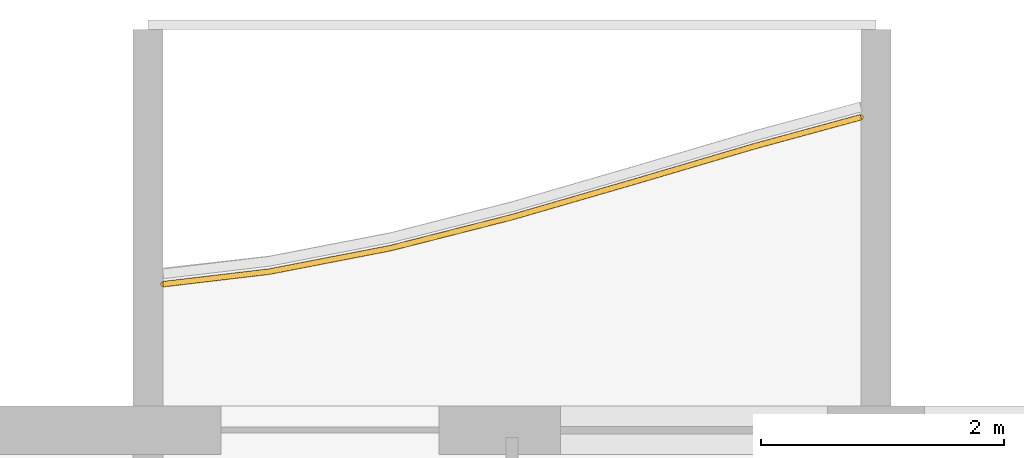
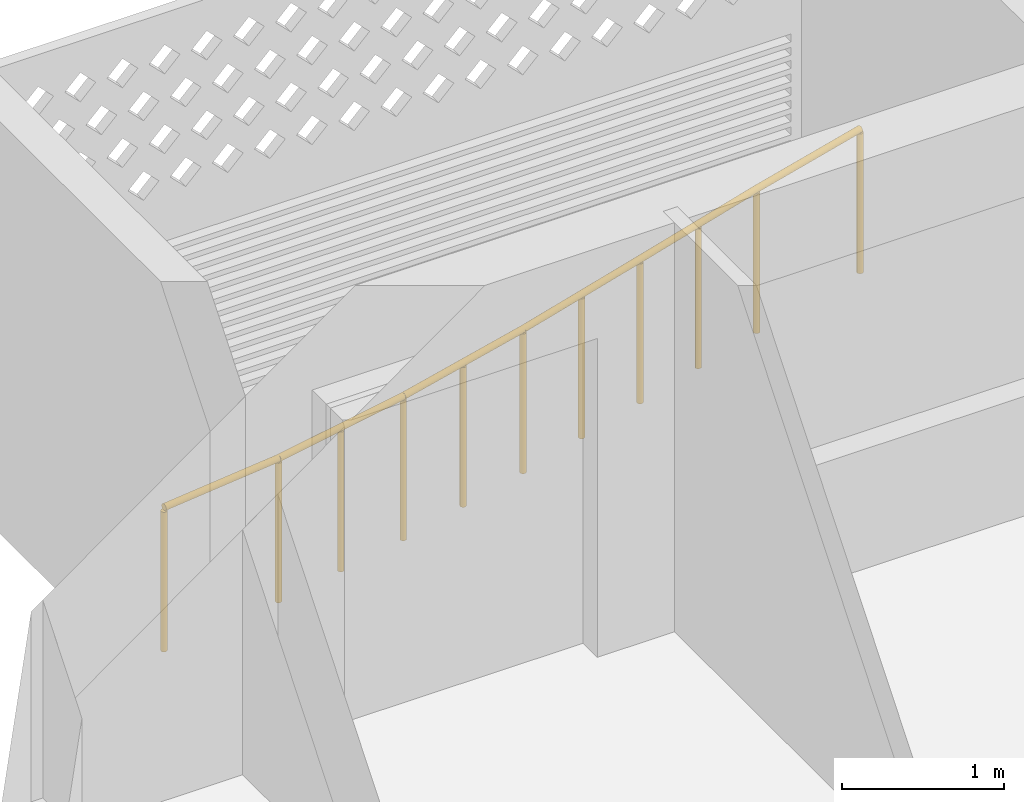
# One storey, part 15 of 26: 1 railing.
"""IFC4 building model written with IfcOpenShell, lengths in metres."""

import ifcopenshell
import ifcopenshell.guid

model = None  # the IFC model being written
_history = None  # IfcOwnerHistory: only IFC2X3 demands one
_inside = {}  # id of a spatial element -> (the spatial element, [elements in it])
_under = {}  # id of a project, library or spatial element -> (it, [spatial elements below it])
_declared = {}  # id of a project -> (the project, [libraries it declares])
_typed = {}  # id of a type object -> (the type object, [elements of that type])
_made_of = {}  # id of a material, layer set ... -> (it, [elements and type objects made of it])


def new_model(schema):
    """Start an empty IFC model of exactly this schema.

    Asked for "IFC4X3", IfcOpenShell would pick the latest addendum, in which some entities
    have other attributes; the version numbers below select the first issue.
    IFC2X3 requires an IfcOwnerHistory on every rooted entity: one is made here for all.
    """
    global model, _history
    if schema == "IFC4X3":
        model = ifcopenshell.file(schema_version=(4, 3, 0, 0))
    else:
        model = ifcopenshell.file(schema=schema)
    _inside.clear()
    _under.clear()
    _declared.clear()
    _typed.clear()
    _made_of.clear()
    _history = None
    if model.schema == "IFC2X3":
        org = make("IfcOrganization", Name="unknown")
        user = make(
            "IfcPersonAndOrganization",
            ThePerson=make("IfcPerson", FamilyName="unknown"),
            TheOrganization=org,
        )
        app = make(
            "IfcApplication",
            ApplicationDeveloper=org,
            Version="unknown",
            ApplicationFullName="unknown",
            ApplicationIdentifier="unknown",
        )
        _history = make(
            "IfcOwnerHistory",
            OwningUser=user,
            OwningApplication=app,
            ChangeAction="ADDED",
            CreationDate=0,
        )
    return model


def make(cls, **values):
    """One entity of the class cls with the attributes given. An attribute that is None is left unset."""
    return model.create_entity(
        cls, **{name: value for name, value in values.items() if value is not None}
    )


def rooted(cls, **values):
    """An entity with a GlobalId (a new one), such as an element, a storey or a relation."""
    return make(cls, GlobalId=ifcopenshell.guid.new(), OwnerHistory=_history, **values)


def si_unit(unit_type, name, prefix=None):
    """IfcSIUnit, for example si_unit("LENGTHUNIT", "METRE", prefix="MILLI")."""
    return make("IfcSIUnit", UnitType=unit_type, Prefix=prefix, Name=name)


def assignment(units):
    """IfcUnitAssignment: the units of a project."""
    return None if units is None else make("IfcUnitAssignment", Units=units)


def point(xyz):
    """IfcCartesianPoint."""
    return None if xyz is None else make("IfcCartesianPoint", Coordinates=xyz)


def direction(xyz):
    """IfcDirection."""
    return None if xyz is None else make("IfcDirection", DirectionRatios=xyz)


def frame(location, z_axis=None, x_axis=None):
    """IfcAxis2Placement3D, a coordinate frame: its origin and axes. An axis left out is left unset."""
    return make(
        "IfcAxis2Placement3D",
        Location=point(location),
        Axis=direction(z_axis),
        RefDirection=direction(x_axis),
    )


def frame_2d(location, x_axis=None):
    """IfcAxis2Placement2D, a coordinate frame in the plane: its origin and x axis."""
    return make(
        "IfcAxis2Placement2D", Location=point(location), RefDirection=direction(x_axis)
    )


def origin():
    """The frame at (0, 0, 0) with its axes left unset."""
    return frame((0.0, 0.0, 0.0))


def origin_2d():
    """The frame at (0, 0) in the plane with its x axis left unset."""
    return frame_2d((0.0, 0.0))


def place(relative_to, where):
    """IfcLocalPlacement: puts the frame where relative to a parent placement (None: the world)."""
    return make(
        "IfcLocalPlacement", PlacementRelTo=relative_to, RelativePlacement=where
    )


def context(
    kind, dimensions, precision=None, world=None, true_north=None, identifier=None
):
    """IfcGeometricRepresentationContext, for example the 3D "Model" context."""
    return make(
        "IfcGeometricRepresentationContext",
        ContextIdentifier=identifier,
        ContextType=kind,
        CoordinateSpaceDimension=dimensions,
        Precision=precision,
        WorldCoordinateSystem=world,
        TrueNorth=true_north,
    )


def subcontext(parent, identifier, kind, view, scale=None):
    """IfcGeometricRepresentationSubContext, for example "Body" below "Model"."""
    return make(
        "IfcGeometricRepresentationSubContext",
        ContextIdentifier=identifier,
        ContextType=kind,
        ParentContext=parent,
        TargetScale=scale,
        TargetView=view,
    )


def project(units=None, contexts=None):
    """IfcProject with its units and contexts."""
    return rooted(
        "IfcProject",
        Name="project",
        RepresentationContexts=contexts,
        UnitsInContext=assignment(units),
    )


def spatial(cls, under=None, at=None, **own):
    """A site, building, storey or space (cls), placed at a placement, below another one or the project."""
    s = rooted(cls, ObjectPlacement=at, **own)
    if under is not None:
        _under.setdefault(under.id(), (under, []))[1].append(s)
    return s


def profile(cls, at=None, kind="AREA", **sizes):
    """A parametric profile (cls). Its sizes go by their IFC names, for example OverallWidth=200.0."""
    return make(cls, ProfileType=kind, Position=at, **sizes)


def circle(**sizes):
    """IfcCircleProfileDef."""
    return profile("IfcCircleProfileDef", **sizes)


def extrude(swept, where, along, depth):
    """IfcExtrudedAreaSolid: the profile swept, set in the frame where, extruded along a direction by depth."""
    return make(
        "IfcExtrudedAreaSolid",
        SweptArea=swept,
        Position=where,
        ExtrudedDirection=direction(along),
        Depth=depth,
    )


def shape(context_of_items, identifier, shape_type, items):
    """IfcShapeRepresentation: the items that make up one representation, for example the "Body"."""
    return make(
        "IfcShapeRepresentation",
        ContextOfItems=context_of_items,
        RepresentationIdentifier=identifier,
        RepresentationType=shape_type,
        Items=items,
    )


def material(Name=None, Category=None):
    """IfcMaterial."""
    return make("IfcMaterial", Name=Name, Category=Category)


def made_of(thing, what):
    """Note that an element or type object is made of a material, layer set ...; save() writes the relation."""
    if what is not None:
        _made_of.setdefault(what.id(), (what, []))[1].append(thing)
    return thing


def type_object(cls, material=None, **own):
    """A type object (cls), such as IfcWallType, which elements share."""
    return made_of(rooted(cls, **own), material)


def element(
    cls,
    number,
    at=None,
    inside=None,
    cuts=None,
    type_object=None,
    material=None,
    context=None,
    identifier="Body",
    shape_type=None,
    held_by="IfcProductDefinitionShape",
    body=None,
    shapes=None,
    **own,
):
    """One element of the class cls, such as IfcWall. Its Tag is "e" and its number.

    at: its placement. inside: the storey or other place that contains it. cuts: it is an
    opening in that element (IfcRelVoidsElement). A single representation is given by context,
    identifier, shape_type and body (its items); several are given by shapes. held_by: the class
    of the entity that holds the representations. save() writes the other relations.
    """
    e = rooted(cls, Tag="e%d" % number, ObjectPlacement=at, **own)
    if body is not None:
        shapes = [shape(context, identifier, shape_type, body)]
    if shapes is not None:
        e.Representation = make(held_by, Representations=shapes)
    if inside is not None:
        _inside.setdefault(inside.id(), (inside, []))[1].append(e)
    if cuts is not None:
        rooted(
            "IfcRelVoidsElement", RelatingBuildingElement=cuts, RelatedOpeningElement=e
        )
    if type_object is not None:
        _typed.setdefault(type_object.id(), (type_object, []))[1].append(e)
    return made_of(e, material)


def aggregate(whole, parts):
    """IfcRelAggregates: a whole, such as a stair, and the parts it consists of."""
    return rooted("IfcRelAggregates", RelatingObject=whole, RelatedObjects=parts)


def save(model, path):
    """Write the relations noted so far, then the file.

    IfcRelAggregates (storeys below a building ...), IfcRelContainedInSpatialStructure (elements
    in a storey), IfcRelDefinesByType, IfcRelAssociatesMaterial and IfcRelDeclares: one each for
    every whole, place, type object, material and project.
    """
    for whole, parts in _under.values():
        aggregate(whole, parts)
    for where, things in _inside.values():
        rooted(
            "IfcRelContainedInSpatialStructure",
            RelatedElements=things,
            RelatingStructure=where,
        )
    for kind, things in _typed.values():
        rooted("IfcRelDefinesByType", RelatedObjects=things, RelatingType=kind)
    for what, things in _made_of.values():
        rooted("IfcRelAssociatesMaterial", RelatedObjects=things, RelatingMaterial=what)
    for by, libraries in _declared.values():
        rooted("IfcRelDeclares", RelatingContext=by, RelatedDefinitions=libraries)
    model.write(path)


model = new_model("IFC4")

# Units and contexts
model_context = context("Model", 3, precision=1e-05, world=origin(), true_north=direction((0.0, 1.0)))
body_context = subcontext(model_context, "Body", "Model", "MODEL_VIEW")
ifc_project = project(units=[si_unit("LENGTHUNIT", "METRE"), si_unit("AREAUNIT", "SQUARE_METRE"), si_unit("VOLUMEUNIT", "CUBIC_METRE"), si_unit("PLANEANGLEUNIT", "RADIAN"), si_unit("MASSUNIT", "GRAM", prefix="KILO")], contexts=[model_context])

# Site, building, storey
site_placement = place(None, origin())
site = spatial("IfcSite", under=ifc_project, at=site_placement, CompositionType="ELEMENT")
building_placement = place(site_placement, origin())
building = spatial("IfcBuilding", under=site, at=building_placement, Name="Poui Terraces", CompositionType="ELEMENT")
storey_placement = place(building_placement, frame((0.0, 0.0, 247.800048828125)))
storey = spatial("IfcBuildingStorey", under=building, at=storey_placement, Name="L69", CompositionType="ELEMENT", Elevation=247.800048828125)

# Railing
ifc_material = material(Name="Painted steel fretwork", Category="steel")
railing_type = type_object("IfcRailingType", Name="BALCONY GUARD 1100", PredefinedType="GUARDRAIL", material=ifc_material)
railing_placement = place(storey_placement, frame((24.125, 42.403076171875, 0.0)))
element("IfcRailing", 1, at=railing_placement, inside=storey, type_object=railing_type, Name="BALCONY GUARD", PredefinedType="GUARDRAIL", context=body_context, shape_type="SweptSolid", body=[
    extrude(circle(Radius=0.02392578125, at=origin_2d()), frame((0.0, 0.0, 1.076171875), z_axis=(0.993074741363, 0.117484288599, 0.0), x_axis=(-0.117484288599, 0.993074741363, 0.0)), (0.0, 0.0, 1.0), 0.881103515625),
    extrude(circle(Radius=0.02392578125, at=origin_2d()), frame((0.875, 0.103515625, 1.076171875), z_axis=(0.981724998512, 0.190305090044, 0.0), x_axis=(-0.190305090044, 0.981724998512, 0.0)), (0.0, 0.0, 1.0), 1.0185546875),
    extrude(circle(Radius=0.02392578125, at=origin_2d()), frame((1.875, 0.29736328125, 1.076171875), z_axis=(0.969018976325, 0.246986282052, 0.0), x_axis=(-0.246986282052, 0.969018976325, 0.0)), (0.0, 0.0, 1.0), 1.031982421875),
    extrude(circle(Radius=0.02392578125, at=origin_2d()), frame((2.875, 0.55224609375, 1.076171875), z_axis=(0.960419102414, 0.278559056071, 0.0), x_axis=(-0.278559056071, 0.960419102414, 0.0)), (0.0, 0.0, 1.0), 1.041259765625),
    extrude(circle(Radius=0.02392578125, at=origin_2d()), frame((3.875, 0.84228515625, 1.076171875), z_axis=(0.959156425707, 0.282876211488, 0.0), x_axis=(-0.282876211488, 0.959156425707, 0.0)), (0.0, 0.0, 1.0), 1.04248046875),
    extrude(circle(Radius=0.02392578125, at=origin_2d()), frame((4.875, 1.13720703125, 1.076171875), z_axis=(0.964794875477, 0.263003513767, 0.0), x_axis=(-0.263003513767, 0.964794875477, 0.0)), (0.0, 0.0, 1.0), 0.906982421875),
    extrude(circle(Radius=0.02099609375, at=origin_2d()), origin(), (0.0, 0.0, 1.0), 1.052001953125),
    extrude(circle(Radius=0.02099609375, at=origin_2d()), frame((0.875, 0.103515625, 0.0)), (0.0, 0.0, 1.0), 1.052001953125),
    extrude(circle(Radius=0.02099609375, at=origin_2d()), frame((1.375, 0.200439453125, 0.0)), (0.0, 0.0, 1.0), 1.052001953125),
    extrude(circle(Radius=0.02099609375, at=origin_2d()), frame((1.875, 0.29736328125, 0.0)), (0.0, 0.0, 1.0), 1.052001953125),
    extrude(circle(Radius=0.02099609375, at=origin_2d()), frame((2.375, 0.4248046875, 0.0)), (0.0, 0.0, 1.0), 1.052001953125),
    extrude(circle(Radius=0.02099609375, at=origin_2d()), frame((2.875, 0.55224609375, 0.0)), (0.0, 0.0, 1.0), 1.052001953125),
    extrude(circle(Radius=0.02099609375, at=origin_2d()), frame((3.375, 0.697265625, 0.0)), (0.0, 0.0, 1.0), 1.052001953125),
    extrude(circle(Radius=0.02099609375, at=origin_2d()), frame((3.875, 0.84228515625, 0.0)), (0.0, 0.0, 1.0), 1.052001953125),
    extrude(circle(Radius=0.02099609375, at=origin_2d()), frame((4.375, 0.98974609375, 0.0)), (0.0, 0.0, 1.0), 1.052001953125),
    extrude(circle(Radius=0.02099609375, at=origin_2d()), frame((4.875, 1.13720703125, 0.0)), (0.0, 0.0, 1.0), 1.052001953125),
    extrude(circle(Radius=0.02099609375, at=origin_2d()), frame((5.75, 1.375732421875, 0.0)), (0.0, 0.0, 1.0), 1.052001953125),
])

save(model, "model.ifc")
